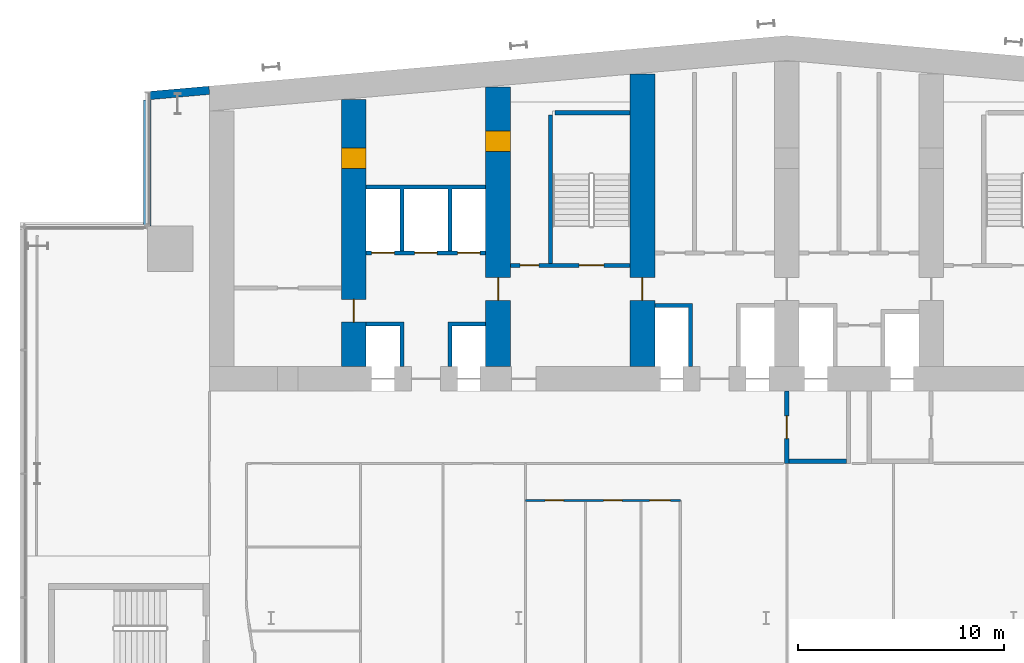
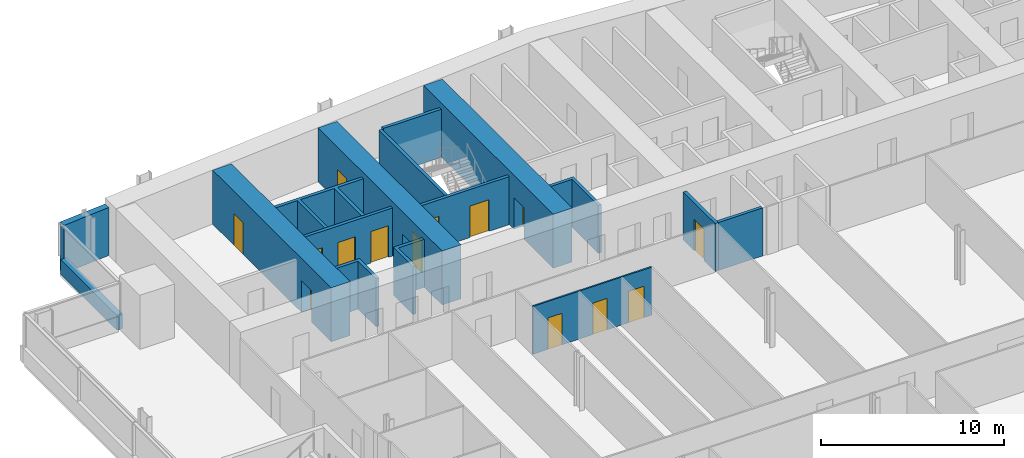
# One storey, part 15 of 24: 16 walls, 14 doors, 14 openings.
"""IFC4 building model written with IfcOpenShell, lengths in metres."""

from ifc_helpers import new_model, si_unit, direction, frame, frame_2d, origin, place, context, subcontext, project, spatial, polyline, rectangle, outline, extrude, material, layer, layer_set, type_object, element, fill, save


model = new_model("IFC4")

# Units and contexts
model_context = context("Model", 3, precision=1e-05, world=origin(), true_north=direction((0.0, 1.0)))
body_context = subcontext(model_context, "Body", "Model", "MODEL_VIEW")
ifc_project = project(units=[si_unit("LENGTHUNIT", "METRE"), si_unit("AREAUNIT", "SQUARE_METRE"), si_unit("VOLUMEUNIT", "CUBIC_METRE"), si_unit("PLANEANGLEUNIT", "RADIAN"), si_unit("MASSUNIT", "GRAM", prefix="KILO")], contexts=[model_context])

# Site, building, storey
site_placement = place(None, origin())
site = spatial("IfcSite", under=ifc_project, at=site_placement, CompositionType="ELEMENT")
building_placement = place(site_placement, origin())
building = spatial("IfcBuilding", under=site, at=building_placement, Name="Wharfspan Tower", CompositionType="ELEMENT")
storey_placement = place(building_placement, frame((0.0, 0.0, 41.5)))
storey = spatial("IfcBuildingStorey", under=building, at=storey_placement, Name="L06", CompositionType="ELEMENT", Elevation=41.5)

# Wall, openings, doors
ifc_material_1 = material(Name="Concrete C70/85", Category="concrete")
ifc_layer_1 = layer(ifc_material_1, 1.199951)
ifc_layer_set_1 = layer_set([ifc_layer_1], Name="Concrete C70/85")
wall_type_1 = type_object("IfcWallType", Name="Core wall 1200 C70/85", PredefinedType="SHEAR", material=ifc_layer_set_1)
wall_1_placement = place(storey_placement, frame((16.0, 35.199951, 0.0), z_axis=(0.0, 0.0, 1.0), x_axis=(0.0, 1.0, 0.0)))
wall_1 = element("IfcWall", 1, at=wall_1_placement, inside=storey, type_object=wall_type_1, Name="Core cross wall X1 L06", PredefinedType="SHEAR", context=body_context, shape_type="SweptSolid", body=[
    extrude(rectangle(XDim=12.942871, YDim=1.199951, at=frame_2d((6.471436, 0.0))), origin(), (0.0, 0.0, 1.0), 3.600098),
])
opening_1_placement = place(wall_1_placement, frame((2.149902, 0.0, 0.0)))
opening_1 = element("IfcOpeningElement", 2, at=opening_1_placement, cuts=wall_1, Name="Opening CC06.1", PredefinedType="OPENING", context=body_context, shape_type="SweptSolid", body=[
    extrude(rectangle(XDim=1.100098, YDim=2.100098, at=frame_2d((0.550049, 1.050049))), frame((0.0, 0.609863, 0.0), z_axis=(0.0, -1.0, 0.0), x_axis=(1.0, 0.0, 0.0)), (0.0, 0.0, 1.0), 1.219971),
])
opening_2_placement = place(wall_1_placement, frame((9.600098, 0.0, 0.0)))
opening_2 = element("IfcOpeningElement", 3, at=opening_2_placement, cuts=wall_1, Name="Opening CR06.1", PredefinedType="OPENING", context=body_context, shape_type="SweptSolid", body=[
    extrude(rectangle(XDim=1.0, YDim=2.100098, at=frame_2d((0.5, 1.050049))), frame((0.0, 0.609863, 0.0), z_axis=(0.0, -1.0, 0.0), x_axis=(1.0, 0.0, 0.0)), (0.0, 0.0, 1.0), 1.219971),
])
ifc_material_2 = material(Name="Steel door leaf", Category="steel")
door_type_1 = type_object("IfcDoorType", Name="Core corridor door 1100x2100", OperationType="SINGLE_SWING_LEFT", PredefinedType="DOOR", material=ifc_material_2)
door_1_placement = place(opening_1_placement, origin())
door_1 = element("IfcDoor", 4, at=door_1_placement, inside=storey, type_object=door_type_1, Name="xd:L06:1", OperationType="SINGLE_SWING_LEFT", OverallHeight=2.100098, OverallWidth=1.100098, PredefinedType="DOOR", context=body_context, shape_type="SweptSolid", body=[
    extrude(rectangle(XDim=1.100098, YDim=2.100098, at=frame_2d((0.550049, 1.050049))), frame((0.0, 0.024902, 0.0), z_axis=(0.0, -1.0, 0.0), x_axis=(1.0, 0.0, 0.0)), (0.0, 0.0, 1.0), 0.050049),
])
fill(opening_1, door_1)
door_type_2 = type_object("IfcDoorType", Name="Core room door 1000x2100", OperationType="SINGLE_SWING_LEFT", PredefinedType="DOOR", material=ifc_material_2)
door_2_placement = place(opening_2_placement, origin())
door_2 = element("IfcDoor", 5, at=door_2_placement, inside=storey, type_object=door_type_2, Name="xr:L06:1", OperationType="SINGLE_SWING_RIGHT", OverallHeight=2.100098, OverallWidth=1.0, PredefinedType="DOOR", context=body_context, shape_type="SweptSolid", body=[
    extrude(rectangle(XDim=1.0, YDim=2.100098, at=frame_2d((0.5, 1.050049))), frame((0.0, 0.599609, 0.0), z_axis=(0.0, -1.0, 0.0), x_axis=(1.0, 0.0, 0.0)), (0.0, 0.0, 1.0), 1.199463),
])
fill(opening_2, door_2)

wall_2_placement = place(storey_placement, frame((23.0, 35.199951, 0.0), z_axis=(0.0, 0.0, 1.0), x_axis=(0.0, 1.0, 0.0)))
wall_2 = element("IfcWall", 6, at=wall_2_placement, inside=storey, type_object=wall_type_1, Name="Core cross wall X2 L06", PredefinedType="SHEAR", context=body_context, shape_type="SweptSolid", body=[
    extrude(rectangle(XDim=13.555176, YDim=1.199951, at=frame_2d((6.777588, 0.0))), origin(), (0.0, 0.0, 1.0), 3.600098),
])
opening_3_placement = place(wall_2_placement, frame((10.413818, 0.0, 0.0)))
opening_3 = element("IfcOpeningElement", 7, at=opening_3_placement, cuts=wall_2, Name="Opening CD06.1X", PredefinedType="OPENING", context=body_context, shape_type="SweptSolid", body=[
    extrude(rectangle(XDim=1.0, YDim=2.100098, at=frame_2d((0.5, 1.050049))), frame((0.0, 0.609863, 0.0), z_axis=(0.0, -1.0, 0.0), x_axis=(1.0, 0.0, 0.0)), (0.0, 0.0, 1.0), 1.219971),
])
opening_4_placement = place(wall_2_placement, frame((3.199951, 0.0, 0.0)))
opening_4 = element("IfcOpeningElement", 8, at=opening_4_placement, cuts=wall_2, Name="Opening CC06.2", PredefinedType="OPENING", context=body_context, shape_type="SweptSolid", body=[
    extrude(rectangle(XDim=1.100098, YDim=2.100098, at=frame_2d((0.550049, 1.050049))), frame((0.0, 0.609863, 0.0), z_axis=(0.0, -1.0, 0.0), x_axis=(1.0, 0.0, 0.0)), (0.0, 0.0, 1.0), 1.219971),
])
door_3_placement = place(opening_4_placement, origin())
door_3 = element("IfcDoor", 9, at=door_3_placement, inside=storey, type_object=door_type_1, Name="xd:L06:2", OperationType="SINGLE_SWING_RIGHT", OverallHeight=2.100098, OverallWidth=1.100098, PredefinedType="DOOR", context=body_context, shape_type="SweptSolid", body=[
    extrude(rectangle(XDim=1.100098, YDim=2.100098, at=frame_2d((0.550049, 1.050049))), frame((0.0, 0.024902, 0.0), z_axis=(0.0, -1.0, 0.0), x_axis=(1.0, 0.0, 0.0)), (0.0, 0.0, 1.0), 0.050049),
])
fill(opening_4, door_3)
door_4_placement = place(opening_3_placement, origin())
door_4 = element("IfcDoor", 10, at=door_4_placement, inside=storey, type_object=door_type_2, Name="d:L06:1:sx", OperationType="SINGLE_SWING_LEFT", OverallHeight=2.100098, OverallWidth=1.0, PredefinedType="DOOR", context=body_context, shape_type="SweptSolid", body=[
    extrude(rectangle(XDim=1.0, YDim=2.100098, at=frame_2d((0.5, 1.050049))), frame((0.0, 0.599609, 0.0), z_axis=(0.0, -1.0, 0.0), x_axis=(1.0, 0.0, 0.0)), (0.0, 0.0, 1.0), 1.199463),
])
fill(opening_3, door_4)

# Wall, opening, door
wall_3_placement = place(storey_placement, frame((30.0, 35.199951, 0.0), z_axis=(0.0, 0.0, 1.0), x_axis=(0.0, 1.0, 0.0)))
wall_3 = element("IfcWall", 11, at=wall_3_placement, inside=storey, type_object=wall_type_1, Name="Core cross wall X3 L06", PredefinedType="SHEAR", context=body_context, shape_type="SweptSolid", body=[
    extrude(rectangle(XDim=14.167725, YDim=1.199951, at=frame_2d((7.083984, 0.0))), origin(), (0.0, 0.0, 1.0), 3.600098),
])
opening_5_placement = place(wall_3_placement, frame((3.199951, 0.0, 0.0)))
opening_5 = element("IfcOpeningElement", 12, at=opening_5_placement, cuts=wall_3, Name="Opening CC06.3", PredefinedType="OPENING", context=body_context, shape_type="SweptSolid", body=[
    extrude(rectangle(XDim=1.100098, YDim=2.100098, at=frame_2d((0.550049, 1.050049))), frame((0.0, 0.609863, 0.0), z_axis=(0.0, -1.0, 0.0), x_axis=(1.0, 0.0, 0.0)), (0.0, 0.0, 1.0), 1.219971),
])
door_5_placement = place(opening_5_placement, origin())
door_5 = element("IfcDoor", 13, at=door_5_placement, inside=storey, type_object=door_type_1, Name="xd:L06:3", OperationType="SINGLE_SWING_LEFT", OverallHeight=2.100098, OverallWidth=1.100098, PredefinedType="DOOR", context=body_context, shape_type="SweptSolid", body=[
    extrude(rectangle(XDim=1.100098, YDim=2.100098, at=frame_2d((0.550049, 1.050049))), frame((0.0, 0.024902, 0.0), z_axis=(0.0, -1.0, 0.0), x_axis=(1.0, 0.0, 0.0)), (0.0, 0.0, 1.0), 0.050049),
])
fill(opening_5, door_5)

# Wall, openings, doors
ifc_material_3 = material(Name="Concrete C30/37", Category="concrete")
ifc_layer_2 = layer(ifc_material_3, 0.199951)
ifc_layer_set_2 = layer_set([ifc_layer_2], Name="Concrete C30/37")
wall_type_2 = type_object("IfcWallType", Name="Lift shaft wall 200", PredefinedType="PARTITIONING", material=ifc_layer_set_2)
wall_4_placement = place(storey_placement, frame((16.600098, 40.699951, 0.0), z_axis=(0.0, 0.0, 1.0), x_axis=(1.0, 0.0, 0.0)))
wall_4 = element("IfcWall", 14, at=wall_4_placement, inside=storey, type_object=wall_type_2, Name="sw:L06:RF1", PredefinedType="PARTITIONING", context=body_context, shape_type="SweptSolid", body=[
    extrude(rectangle(XDim=5.799805, YDim=0.199951, at=frame_2d((2.899902, 0.0))), origin(), (0.0, 0.0, 1.0), 3.199951),
])
opening_6_placement = place(wall_4_placement, frame((0.266602, 0.0, 0.0)))
opening_6 = element("IfcOpeningElement", 15, at=opening_6_placement, cuts=wall_4, Name="Opening LD.LA3.L06", PredefinedType="OPENING", context=body_context, shape_type="SweptSolid", body=[
    extrude(rectangle(XDim=1.100098, YDim=2.100098, at=frame_2d((0.550049, 1.050049))), frame((0.0, 0.109863, 0.0), z_axis=(0.0, -1.0, 0.0), x_axis=(1.0, 0.0, 0.0)), (0.0, 0.0, 1.0), 0.219971),
])
opening_7_placement = place(wall_4_placement, frame((2.350098, 0.0, 0.0)))
opening_7 = element("IfcOpeningElement", 16, at=opening_7_placement, cuts=wall_4, Name="Opening LD.LA4.L06", PredefinedType="OPENING", context=body_context, shape_type="SweptSolid", body=[
    extrude(rectangle(XDim=1.100098, YDim=2.100098, at=frame_2d((0.550049, 1.050049))), frame((0.0, 0.109863, 0.0), z_axis=(0.0, -1.0, 0.0), x_axis=(1.0, 0.0, 0.0)), (0.0, 0.0, 1.0), 0.219971),
])
opening_8_placement = place(wall_4_placement, frame((4.43335, 0.0, 0.0)))
opening_8 = element("IfcOpeningElement", 17, at=opening_8_placement, cuts=wall_4, Name="Opening LD.LA5.L06", PredefinedType="OPENING", context=body_context, shape_type="SweptSolid", body=[
    extrude(rectangle(XDim=1.100098, YDim=2.100098, at=frame_2d((0.550049, 1.050049))), frame((0.0, 0.109863, 0.0), z_axis=(0.0, -1.0, 0.0), x_axis=(1.0, 0.0, 0.0)), (0.0, 0.0, 1.0), 0.219971),
])
ifc_material_4 = material(Name="Stainless steel", Category="steel")
door_type_3 = type_object("IfcDoorType", Name="Lift landing door 1100x2100", OperationType="DOUBLE_DOOR_SLIDING", PredefinedType="DOOR", material=ifc_material_4)
door_6_placement = place(opening_6_placement, origin())
door_6 = element("IfcDoor", 18, at=door_6_placement, inside=storey, type_object=door_type_3, Name="Landing door LA3 L06", OperationType="DOUBLE_DOOR_SLIDING", OverallHeight=2.100098, OverallWidth=1.100098, PredefinedType="DOOR", context=body_context, shape_type="SweptSolid", body=[
    extrude(rectangle(XDim=1.100098, YDim=2.100098, at=frame_2d((0.550049, 1.050049))), frame((0.0, 0.024902, 0.0), z_axis=(0.0, -1.0, 0.0), x_axis=(1.0, 0.0, 0.0)), (0.0, 0.0, 1.0), 0.050049),
])
fill(opening_6, door_6)
door_7_placement = place(opening_7_placement, origin())
door_7 = element("IfcDoor", 19, at=door_7_placement, inside=storey, type_object=door_type_3, Name="Landing door LA4 L06", OperationType="DOUBLE_DOOR_SLIDING", OverallHeight=2.100098, OverallWidth=1.100098, PredefinedType="DOOR", context=body_context, shape_type="SweptSolid", body=[
    extrude(rectangle(XDim=1.100098, YDim=2.100098, at=frame_2d((0.550049, 1.050049))), frame((0.0, 0.024902, 0.0), z_axis=(0.0, -1.0, 0.0), x_axis=(1.0, 0.0, 0.0)), (0.0, 0.0, 1.0), 0.050049),
])
fill(opening_7, door_7)
door_8_placement = place(opening_8_placement, origin())
door_8 = element("IfcDoor", 20, at=door_8_placement, inside=storey, type_object=door_type_3, Name="Landing door LA5 L06", OperationType="DOUBLE_DOOR_SLIDING", OverallHeight=2.100098, OverallWidth=1.100098, PredefinedType="DOOR", context=body_context, shape_type="SweptSolid", body=[
    extrude(rectangle(XDim=1.100098, YDim=2.100098, at=frame_2d((0.550049, 1.050049))), frame((0.0, 0.024902, 0.0), z_axis=(0.0, -1.0, 0.0), x_axis=(1.0, 0.0, 0.0)), (0.0, 0.0, 1.0), 0.050049),
])
fill(opening_8, door_8)

# Walls
wall_5_placement = place(storey_placement, frame((0.0, 0.0, -0.000244)))
element("IfcWall", 21, at=wall_5_placement, inside=storey, type_object=wall_type_2, Name="sw:L06:FM1.0", PredefinedType="PARTITIONING", context=body_context, shape_type="SweptSolid", body=[
    extrude(outline(polyline([(18.233398, 37.149902), (16.600098, 37.149902), (16.600098, 37.350098), (18.233398, 37.350098), (18.43335, 37.350098), (18.43335, 35.199951), (18.233398, 35.199951), (18.233398, 37.149902)])), origin(), (0.0, 0.0, 1.0), 3.200195),
])
wall_6_placement = place(storey_placement, frame((0.0, 0.0, -0.000244)))
element("IfcWall", 22, at=wall_6_placement, inside=storey, type_object=wall_type_2, Name="sw:L06:FM1.1", PredefinedType="PARTITIONING", context=body_context, shape_type="SweptSolid", body=[
    extrude(outline(polyline([(20.56665, 37.350098), (20.766602, 37.350098), (22.399902, 37.350098), (22.399902, 37.149902), (20.766602, 37.149902), (20.766602, 35.199951), (20.56665, 35.199951), (20.56665, 37.350098)])), origin(), (0.0, 0.0, 1.0), 3.200195),
])
wall_7_placement = place(storey_placement, frame((0.0, 0.0, -0.000244)))
element("IfcWall", 23, at=wall_7_placement, inside=storey, type_object=wall_type_2, Name="sw:L06:RM1.0", PredefinedType="PARTITIONING", context=body_context, shape_type="SweptSolid", body=[
    extrude(outline(polyline([(18.43335, 40.800049), (18.233398, 40.800049), (18.233398, 43.800049), (16.600098, 43.800049), (16.600098, 44.0), (22.399902, 44.0), (22.399902, 43.800049), (20.766602, 43.800049), (20.766602, 40.800049), (20.56665, 40.800049), (20.56665, 43.800049), (18.43335, 43.800049), (18.43335, 40.800049)])), origin(), (0.0, 0.0, 1.0), 3.200195),
])
wall_8_placement = place(storey_placement, frame((0.0, 0.0, -0.000244)))
element("IfcWall", 24, at=wall_8_placement, inside=storey, type_object=wall_type_2, Name="sw:L06:FM3.0", PredefinedType="PARTITIONING", context=body_context, shape_type="SweptSolid", body=[
    extrude(outline(polyline([(32.233398, 38.050049), (30.600098, 38.050049), (30.600098, 38.25), (32.233398, 38.25), (32.43335, 38.25), (32.43335, 35.199951), (32.233398, 35.199951), (32.233398, 38.050049)])), origin(), (0.0, 0.0, 1.0), 3.200195),
])

# Wall, opening, door
ifc_layer_3 = layer(ifc_material_3, 0.199951)
ifc_layer_set_3 = layer_set([ifc_layer_3], Name="Concrete C30/37")
wall_type_3 = type_object("IfcWallType", Name="Lobby wall 200", PredefinedType="PARTITIONING", material=ifc_layer_set_3)
wall_9_placement = place(storey_placement, frame((37.0, 30.5, 0.0), z_axis=(0.0, 0.0, 1.0), x_axis=(0.0, 1.0, 0.0)))
wall_9 = element("IfcWall", 25, at=wall_9_placement, inside=storey, type_object=wall_type_3, Name="sw:L06:FLFF1W", PredefinedType="PARTITIONING", context=body_context, shape_type="SweptSolid", body=[
    extrude(rectangle(XDim=3.5, YDim=0.199951, at=frame_2d((1.75, 0.0))), origin(), (0.0, 0.0, 1.0), 3.199951),
])
opening_9_placement = place(wall_9_placement, frame((1.199951, 0.0, 0.0)))
opening_9 = element("IfcOpeningElement", 26, at=opening_9_placement, cuts=wall_9, Name="Opening FL.FF1.L06", PredefinedType="OPENING", context=body_context, shape_type="SweptSolid", body=[
    extrude(rectangle(XDim=1.100098, YDim=2.100098, at=frame_2d((0.550049, 1.050049))), frame((0.0, 0.109863, 0.0), z_axis=(0.0, -1.0, 0.0), x_axis=(1.0, 0.0, 0.0)), (0.0, 0.0, 1.0), 0.219971),
])
door_type_4 = type_object("IfcDoorType", Name="Firefighting lobby door 1100x2100", OperationType="SINGLE_SWING_LEFT", PredefinedType="DOOR", material=ifc_material_2)
door_9_placement = place(opening_9_placement, origin())
door_9 = element("IfcDoor", 27, at=door_9_placement, inside=storey, type_object=door_type_4, Name="fd:L06:FF1", OperationType="SINGLE_SWING_LEFT", OverallHeight=2.100098, OverallWidth=1.100098, PredefinedType="DOOR", context=body_context, shape_type="SweptSolid", body=[
    extrude(rectangle(XDim=1.100098, YDim=2.100098, at=frame_2d((0.550049, 1.050049))), frame((0.0, 0.024902, 0.0), z_axis=(0.0, -1.0, 0.0), x_axis=(1.0, 0.0, 0.0)), (0.0, 0.0, 1.0), 0.050049),
])
fill(opening_9, door_9)

# Wall
wall_10_placement = place(storey_placement, frame((37.100098, 30.600098, 0.0), z_axis=(0.0, 0.0, 1.0), x_axis=(1.0, 0.0, 0.0)))
element("IfcWall", 28, at=wall_10_placement, inside=storey, type_object=wall_type_3, Name="sw:L06:FLFF1F", PredefinedType="PARTITIONING", context=body_context, shape_type="SweptSolid", body=[
    extrude(rectangle(XDim=2.799805, YDim=0.199951, at=frame_2d((1.399902, 0.0))), origin(), (0.0, 0.0, 1.0), 3.199951),
])

# Wall, openings, doors
ifc_material_5 = material(Name="Gypsum board on steel studs", Category="steel")
ifc_layer_4 = layer(ifc_material_5, 0.100098)
ifc_layer_set_4 = layer_set([ifc_layer_4], Name="Gypsum board on steel studs")
wall_type_4 = type_object("IfcWallType", Name="Partition 100", PredefinedType="PARTITIONING", material=ifc_layer_set_4)
wall_11_placement = place(storey_placement, frame((24.334961, 28.699951, 0.0), z_axis=(0.0, 0.0, 1.0), x_axis=(1.0, 0.0, 0.0)))
wall_11 = element("IfcWall", 29, at=wall_11_placement, inside=storey, type_object=wall_type_4, Name="Partition L06.w029", PredefinedType="PARTITIONING", context=body_context, shape_type="SweptSolid", body=[
    extrude(rectangle(XDim=7.5, YDim=0.100098, at=frame_2d((3.75, 0.0))), origin(), (0.0, 0.0, 1.0), 3.199951),
])
opening_10_placement = place(wall_11_placement, frame((0.949951, 0.0, 0.0)))
opening_10 = element("IfcOpeningElement", 30, at=opening_10_placement, cuts=wall_11, Name="Opening A1-22", PredefinedType="OPENING", context=body_context, shape_type="SweptSolid", body=[
    extrude(rectangle(XDim=0.899902, YDim=2.100098, at=frame_2d((0.449951, 1.050049))), frame((0.0, 0.060059, 0.0), z_axis=(0.0, -1.0, 0.0), x_axis=(1.0, 0.0, 0.0)), (0.0, 0.0, 1.0), 0.120117),
])
opening_11_placement = place(wall_11_placement, frame((3.780029, 0.0, 0.0)))
opening_11 = element("IfcOpeningElement", 31, at=opening_11_placement, cuts=wall_11, Name="Opening A1-23", PredefinedType="OPENING", context=body_context, shape_type="SweptSolid", body=[
    extrude(rectangle(XDim=0.899902, YDim=2.100098, at=frame_2d((0.449951, 1.050049))), frame((0.0, 0.060059, 0.0), z_axis=(0.0, -1.0, 0.0), x_axis=(1.0, 0.0, 0.0)), (0.0, 0.0, 1.0), 0.120117),
])
opening_12_placement = place(wall_11_placement, frame((6.02002, 0.0, 0.0)))
opening_12 = element("IfcOpeningElement", 32, at=opening_12_placement, cuts=wall_11, Name="Opening A1-24", PredefinedType="OPENING", context=body_context, shape_type="SweptSolid", body=[
    extrude(rectangle(XDim=1.0, YDim=2.100098, at=frame_2d((0.5, 1.050049))), frame((0.0, 0.060059, 0.0), z_axis=(0.0, -1.0, 0.0), x_axis=(1.0, 0.0, 0.0)), (0.0, 0.0, 1.0), 0.120117),
])
ifc_material_6 = material(Name="Timber door leaf in steel frame", Category="steel")
door_type_5 = type_object("IfcDoorType", Name="Door 1000 NOT RATED Right", OperationType="SINGLE_SWING_RIGHT", PredefinedType="DOOR", material=ifc_material_6)
door_10_placement = place(opening_12_placement, origin())
door_10 = element("IfcDoor", 33, at=door_10_placement, inside=storey, type_object=door_type_5, Name="Door A1-24", OperationType="SINGLE_SWING_RIGHT", OverallHeight=2.100098, OverallWidth=1.0, PredefinedType="DOOR", context=body_context, shape_type="SweptSolid", body=[
    extrude(rectangle(XDim=1.0, YDim=2.100098, at=frame_2d((0.5, 1.050049))), frame((0.0, 0.024902, 0.0), z_axis=(0.0, -1.0, 0.0), x_axis=(1.0, 0.0, 0.0)), (0.0, 0.0, 1.0), 0.050049),
])
fill(opening_12, door_10)
door_type_6 = type_object("IfcDoorType", Name="Door 900 NOT RATED Left", OperationType="SINGLE_SWING_LEFT", PredefinedType="DOOR", material=ifc_material_6)
door_11_placement = place(opening_10_placement, origin())
door_11 = element("IfcDoor", 34, at=door_11_placement, inside=storey, type_object=door_type_6, Name="Door A1-22", OperationType="SINGLE_SWING_LEFT", OverallHeight=2.100098, OverallWidth=0.899902, PredefinedType="DOOR", context=body_context, shape_type="SweptSolid", body=[
    extrude(rectangle(XDim=0.899902, YDim=2.100098, at=frame_2d((0.449951, 1.050049))), frame((0.0, 0.024902, 0.0), z_axis=(0.0, -1.0, 0.0), x_axis=(1.0, 0.0, 0.0)), (0.0, 0.0, 1.0), 0.050049),
])
fill(opening_10, door_11)
door_type_7 = type_object("IfcDoorType", Name="Door 900 NOT RATED Right", OperationType="SINGLE_SWING_RIGHT", PredefinedType="DOOR", material=ifc_material_6)
door_12_placement = place(opening_11_placement, origin())
door_12 = element("IfcDoor", 35, at=door_12_placement, inside=storey, type_object=door_type_7, Name="Door A1-23", OperationType="SINGLE_SWING_RIGHT", OverallHeight=2.100098, OverallWidth=0.899902, PredefinedType="DOOR", context=body_context, shape_type="SweptSolid", body=[
    extrude(rectangle(XDim=0.899902, YDim=2.100098, at=frame_2d((0.449951, 1.050049))), frame((0.0, 0.024902, 0.0), z_axis=(0.0, -1.0, 0.0), x_axis=(1.0, 0.0, 0.0)), (0.0, 0.0, 1.0), 0.050049),
])
fill(opening_11, door_12)

# Wall
ifc_material_7 = material(Name="Concrete C40/50", Category="concrete")
ifc_layer_5 = layer(ifc_material_7, 0.350098)
ifc_layer_set_5 = layer_set([ifc_layer_5], Name="Concrete C40/50")
wall_type_5 = type_object("IfcWallType", Name="SPANDREL EXPOSED CONCRETE 350", PredefinedType="SOLIDWALL", material=ifc_layer_set_5)
wall_12_placement = place(storey_placement, frame((5.995117, 48.126465, 0.0), z_axis=(0.0, 0.0, 1.0), x_axis=(0.0, -1.0, 0.0)))
element("IfcWall", 36, at=wall_12_placement, inside=storey, type_object=wall_type_5, Name="Spandrel upstand L06 NRW-V", PredefinedType="SOLIDWALL", context=body_context, shape_type="SweptSolid", body=[
    extrude(rectangle(XDim=6.126465, YDim=0.350098, at=frame_2d((3.063232, 0.0))), origin(), (0.0, 0.0, 1.0), 1.0),
])

# Wall, openings, doors
ifc_layer_6 = layer(ifc_material_7, 0.199951)
ifc_layer_set_6 = layer_set([ifc_layer_6], Name="Concrete C40/50")
wall_type_6 = type_object("IfcWallType", Name="Stair shaft wall 200", PredefinedType="SHEAR", material=ifc_layer_set_6)
wall_13_placement = place(storey_placement, frame((23.600098, 40.100098, 0.0), z_axis=(0.0, 0.0, 1.0), x_axis=(1.0, 0.0, 0.0)))
wall_13 = element("IfcWall", 37, at=wall_13_placement, inside=storey, type_object=wall_type_6, Name="ST1 stair enclosure wall L06", PredefinedType="SHEAR", context=body_context, shape_type="SweptSolid", body=[
    extrude(rectangle(XDim=5.799805, YDim=0.199951, at=frame_2d((2.899902, 0.0))), origin(), (0.0, 0.0, 1.0), 3.199951),
])
opening_13_placement = place(wall_13_placement, frame((3.324951, 0.0, 0.0)))
opening_13 = element("IfcOpeningElement", 38, at=opening_13_placement, cuts=wall_13, Name="Opening SD2.L06", PredefinedType="OPENING", context=body_context, shape_type="SweptSolid", body=[
    extrude(rectangle(XDim=1.199951, YDim=2.100098, at=frame_2d((0.600098, 1.050049))), frame((0.0, 0.109863, 0.0), z_axis=(0.0, -1.0, 0.0), x_axis=(1.0, 0.0, 0.0)), (0.0, 0.0, 1.0), 0.219971),
])
opening_14_placement = place(wall_13_placement, frame((0.475098, 0.0, 0.0)))
opening_14 = element("IfcOpeningElement", 39, at=opening_14_placement, cuts=wall_13, Name="Opening CD06.2R", PredefinedType="OPENING", context=body_context, shape_type="SweptSolid", body=[
    extrude(rectangle(XDim=0.899902, YDim=2.100098, at=frame_2d((0.449951, 1.050049))), frame((0.0, 0.109863, 0.0), z_axis=(0.0, -1.0, 0.0), x_axis=(1.0, 0.0, 0.0)), (0.0, 0.0, 1.0), 0.219971),
])
door_13_placement = place(opening_14_placement, origin())
door_13 = element("IfcDoor", 40, at=door_13_placement, inside=storey, type_object=door_type_2, Name="rk:L06:2", OperationType="SINGLE_SWING_LEFT", OverallHeight=2.100098, OverallWidth=0.899902, PredefinedType="DOOR", context=body_context, shape_type="SweptSolid", body=[
    extrude(rectangle(XDim=0.899902, YDim=2.100098, at=frame_2d((0.449951, 1.050049))), frame((0.0, 0.024902, 0.0), z_axis=(0.0, -1.0, 0.0), x_axis=(1.0, 0.0, 0.0)), (0.0, 0.0, 1.0), 0.050049),
])
fill(opening_14, door_13)
door_type_8 = type_object("IfcDoorType", Name="Stair door 1200x2100", OperationType="SINGLE_SWING_LEFT", PredefinedType="DOOR", material=ifc_material_2)
door_14_placement = place(opening_13_placement, origin())
door_14 = element("IfcDoor", 41, at=door_14_placement, inside=storey, type_object=door_type_8, Name="sd:L06:2", OperationType="SINGLE_SWING_RIGHT", OverallHeight=2.100098, OverallWidth=1.199951, PredefinedType="DOOR", context=body_context, shape_type="SweptSolid", body=[
    extrude(rectangle(XDim=1.199951, YDim=2.100098, at=frame_2d((0.600098, 1.050049))), frame((0.0, 0.024902, 0.0), z_axis=(0.0, -1.0, 0.0), x_axis=(1.0, 0.0, 0.0)), (0.0, 0.0, 1.0), 0.050049),
])
fill(opening_13, door_14)

# Walls
wall_14_placement = place(storey_placement, frame((25.550049, 40.199951, 0.0), z_axis=(0.0, 0.0, 1.0), x_axis=(0.0, 1.0, 0.0)))
element("IfcWall", 42, at=wall_14_placement, inside=storey, type_object=wall_type_6, Name="ST1 stair enclosure wall L06", PredefinedType="SHEAR", context=body_context, shape_type="SweptSolid", body=[
    extrude(rectangle(XDim=7.199951, YDim=0.199951, at=frame_2d((3.600098, 0.0))), origin(), (0.0, 0.0, 1.0), 3.199951),
])
wall_15_placement = place(storey_placement, frame((25.75, 47.5, 0.0), z_axis=(0.0, 0.0, 1.0), x_axis=(1.0, 0.0, 0.0)))
element("IfcWall", 43, at=wall_15_placement, inside=storey, type_object=wall_type_6, Name="ST1 stair enclosure wall L06", PredefinedType="SHEAR", context=body_context, shape_type="SweptSolid", body=[
    extrude(rectangle(XDim=3.649902, YDim=0.199951, at=frame_2d((1.824951, 0.0))), origin(), (0.0, 0.0, 1.0), 3.199951),
])
ifc_layer_7 = layer(ifc_material_7, 0.399902)
ifc_layer_set_7 = layer_set([ifc_layer_7], Name="Concrete C40/50")
wall_type_7 = type_object("IfcWallType", Name="WALL EXPOSED CONCRETE 400", PredefinedType="SOLIDWALL", material=ifc_layer_set_7)
wall_16_placement = place(storey_placement, frame((9.0, 48.58667, 0.0), z_axis=(0.0, 0.0, 1.0), x_axis=(-0.996194, -0.087168, 0.0)))
element("IfcWall", 44, at=wall_16_placement, inside=storey, type_object=wall_type_7, Name="Rear wall N1", PredefinedType="SOLIDWALL", context=body_context, shape_type="SweptSolid", body=[
    extrude(rectangle(XDim=2.994141, YDim=0.399902, at=frame_2d((1.49707, 0.0))), origin(), (0.0, 0.0, 1.0), 3.199951),
])

save(model, "model.ifc")
